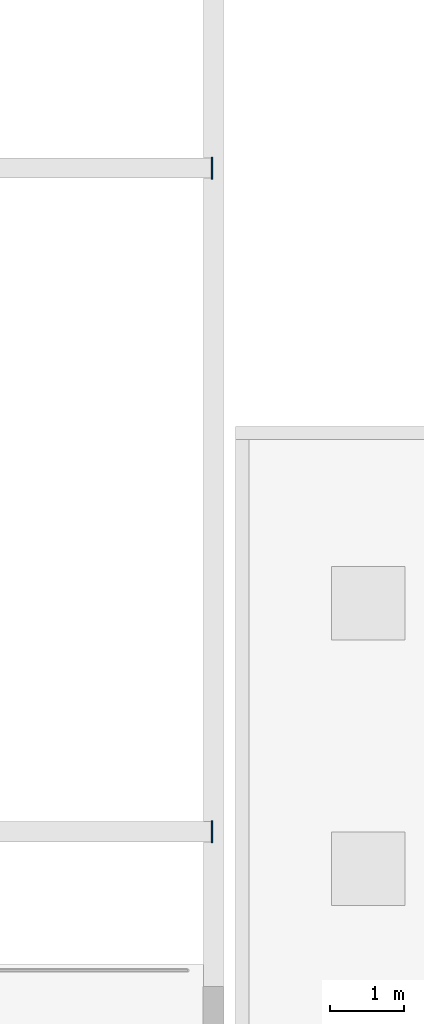
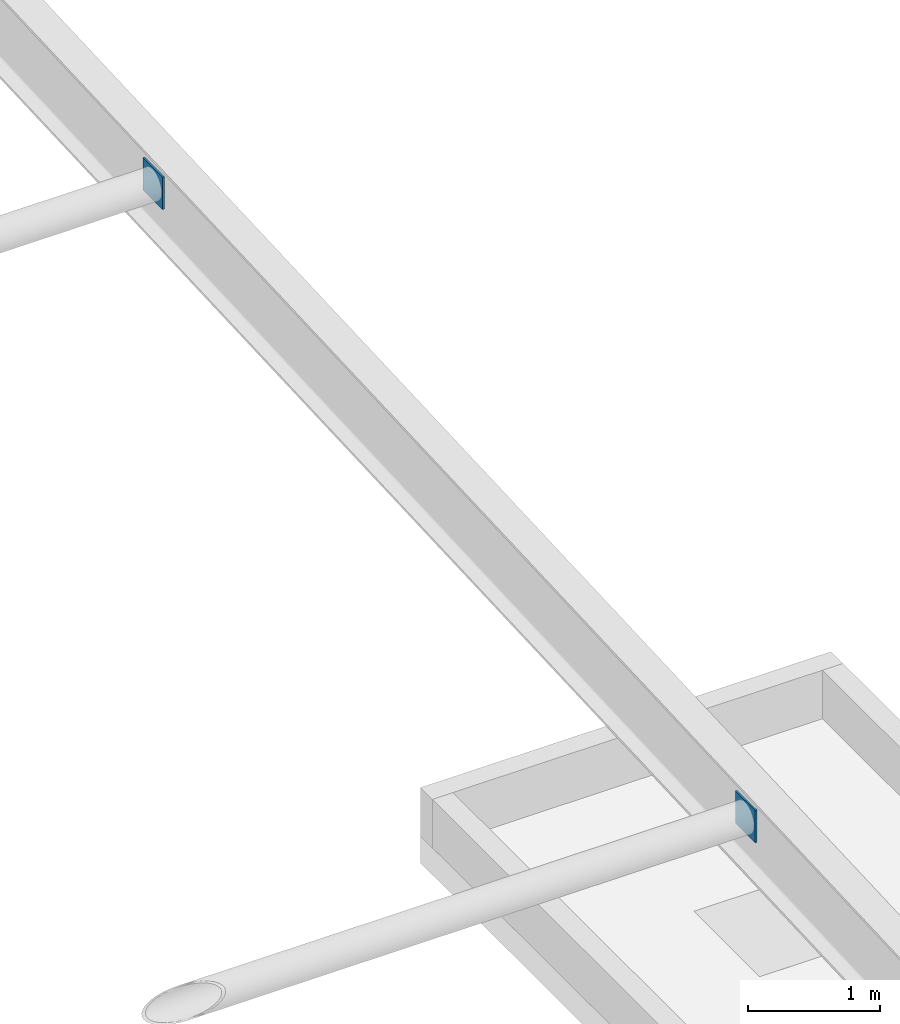
# One storey, part 79 of 150: 2 plates.
"""IFC4 building model written with IfcOpenShell, lengths in metres."""

from ifc_helpers import new_model, si_unit, direction, frame, origin, origin_2d, place, context, subcontext, project, spatial, rectangle, extrude, material, layer, layer_set, type_object, element, save


model = new_model("IFC4")

# Units and contexts
model_context = context("Model", 3, precision=1e-05, world=origin(), true_north=direction((0.0, 1.0)))
body_context = subcontext(model_context, "Body", "Model", "MODEL_VIEW")
ifc_project = project(units=[si_unit("LENGTHUNIT", "METRE"), si_unit("AREAUNIT", "SQUARE_METRE"), si_unit("VOLUMEUNIT", "CUBIC_METRE"), si_unit("PLANEANGLEUNIT", "RADIAN"), si_unit("MASSUNIT", "GRAM", prefix="KILO")], contexts=[model_context])

# Site, building, storey
site_placement = place(None, origin())
site = spatial("IfcSite", under=ifc_project, at=site_placement, CompositionType="ELEMENT")
building_placement = place(site_placement, origin())
building = spatial("IfcBuilding", under=site, at=building_placement, Name="Kestramere Prow Commons", CompositionType="ELEMENT")
storey_placement = place(building_placement, frame((0.0, 0.0, 4.5)))
storey = spatial("IfcBuildingStorey", under=building, at=storey_placement, Name="L01", CompositionType="ELEMENT", Elevation=4.5)

# Plates
ifc_material = material(Name="Steel S355JR", Category="steel")
ifc_layer = layer(ifc_material, 0.01611328125)
ifc_layer_set = layer_set([ifc_layer], Name="Steel S355JR")
plate_type = type_object("IfcPlateType", Name="PL-ENDCAP-16", PredefinedType="SHEET", material=ifc_layer_set)
for number, where, z_axis, x_axis, name in (
    (1, (51.179931640625, 16.5, 3.52880859375), (0.0, 0.0, 1.0), (1.0, 0.0, 0.0), "Tie Strut Cap Plate 7-1B"),
    (2, (51.179931640625, 25.5, 3.94140625), (0.0, 0.0, 1.0), (1.0, 0.0, 0.0), "Tie Strut Cap Plate 7-2B"),
):
    element("IfcPlate", number, at=place(storey_placement, frame(where, z_axis=z_axis, x_axis=x_axis)), inside=storey, type_object=plate_type, Name=name, PredefinedType="SHEET", context=body_context, shape_type="SweptSolid", body=[
        extrude(rectangle(XDim=0.01611328125, YDim=0.300048828125, at=origin_2d()), origin(), (0.0, 0.0, 1.0), 0.300048828125),
    ])

save(model, "model.ifc")
